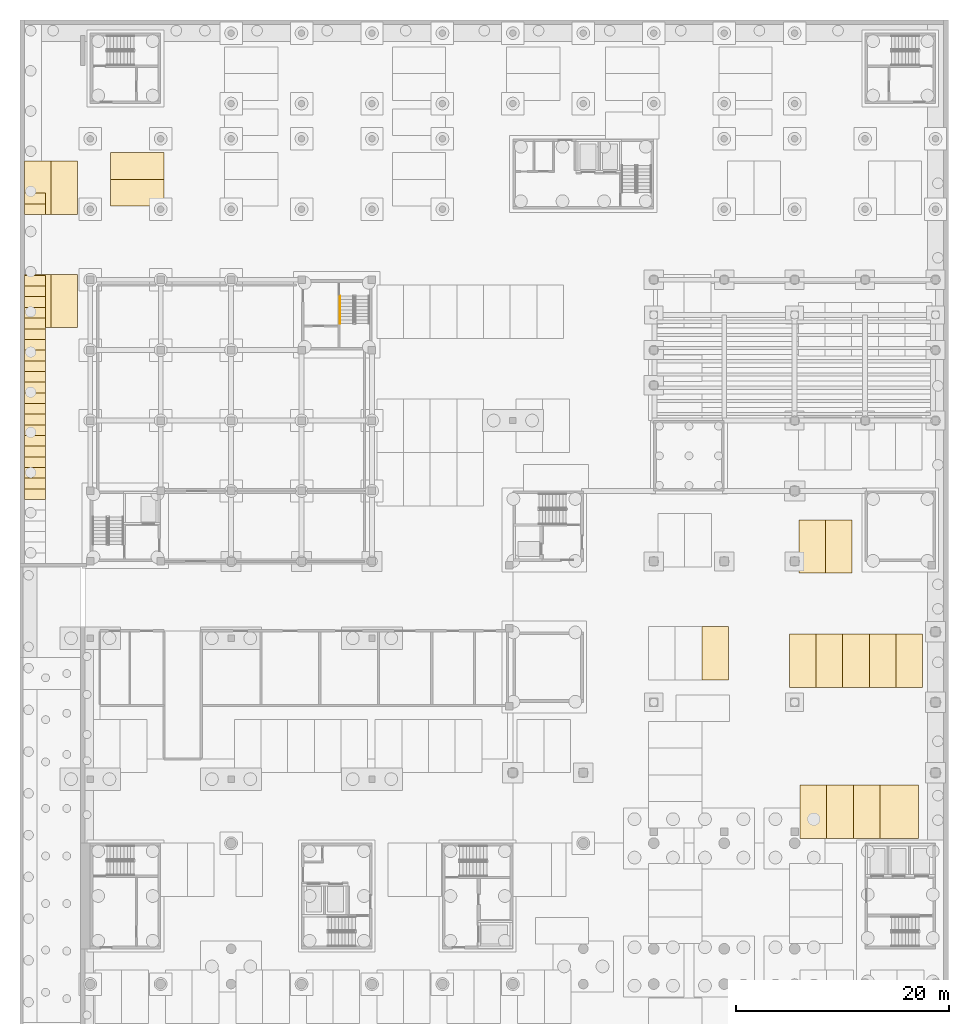
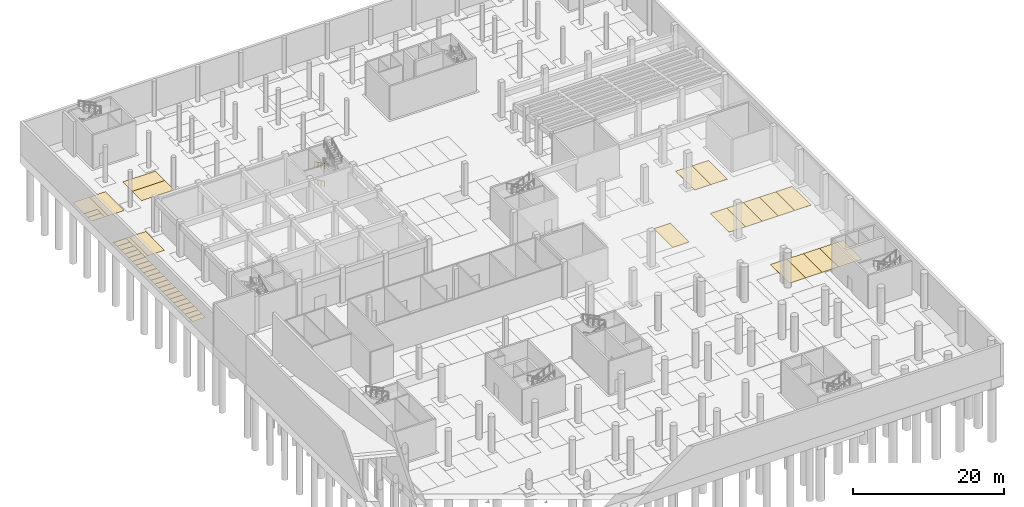
# One storey, part 31 of 38: 41 coverings, 2 railings.
"""IFC4 building model written with IfcOpenShell, lengths in metres."""

from ifc_helpers import new_model, si_unit, direction, frame, origin, origin_2d, place, context, subcontext, project, spatial, polyline, circle, outline, extrude, material, layer, layer_set, type_object, element, save


model = new_model("IFC4")

# Units and contexts
model_context = context("Model", 3, precision=1e-05, world=origin(), true_north=direction((0.0, 1.0)))
body_context = subcontext(model_context, "Body", "Model", "MODEL_VIEW")
ifc_project = project(units=[si_unit("LENGTHUNIT", "METRE"), si_unit("AREAUNIT", "SQUARE_METRE"), si_unit("VOLUMEUNIT", "CUBIC_METRE"), si_unit("PLANEANGLEUNIT", "RADIAN"), si_unit("MASSUNIT", "GRAM", prefix="KILO")], contexts=[model_context])

# Site, building, storey
site_placement = place(None, origin())
site = spatial("IfcSite", under=ifc_project, at=site_placement, CompositionType="ELEMENT")
building_placement = place(site_placement, origin())
building = spatial("IfcBuilding", under=site, at=building_placement, Name="Lantern Court Research Institute", CompositionType="ELEMENT")
storey_placement = place(building_placement, frame((0.0, 0.0, -5.699951171875)))
storey = spatial("IfcBuildingStorey", under=building, at=storey_placement, Name="B1", CompositionType="ELEMENT", Elevation=-5.699951171875)

# Coverings
ifc_material_1 = material(Name="Thermoplastic road marking paint")
ifc_layer_1 = layer(ifc_material_1, 0.0029296875)
ifc_layer_set_1 = layer_set([ifc_layer_1], Name="Thermoplastic road marking paint")
covering_type_1 = type_object("IfcCoveringType", Name="Accessible parking bay marking", PredefinedType="FLOORING", material=ifc_layer_set_1)
covering_1_placement = place(storey_placement, origin())
element("IfcCovering", 1, at=covering_1_placement, inside=storey, type_object=covering_type_1, Name="Accessible parking bay marking 03", PredefinedType="FLOORING", context=body_context, shape_type="SweptSolid", body=[
    extrude(outline(polyline([(74.0, 23.550048828125), (77.60009765625, 23.550048828125), (77.60009765625, 28.550048828125), (74.0, 28.550048828125), (74.0, 23.550048828125)])), origin(), (0.0, 0.0, 1.0), 0.0029296875),
])
ifc_material_2 = material(Name="Thermoplastic road marking paint")
ifc_layer_2 = layer(ifc_material_2, 0.0029296875)
ifc_layer_set_2 = layer_set([ifc_layer_2], Name="Thermoplastic road marking paint")
covering_type_2 = type_object("IfcCoveringType", Name="Motorcycle slot marking", PredefinedType="FLOORING", material=ifc_layer_set_2)
covering_2_placement = place(storey_placement, origin())
element("IfcCovering", 2, at=covering_2_placement, inside=storey, type_object=covering_type_2, Name="Motorcycle slot marking 07", PredefinedType="FLOORING", context=body_context, shape_type="SweptSolid", body=[
    extrude(outline(polyline([(-6.179931640625, 55.300048828125), (-4.179931640625, 55.300048828125), (-4.179931640625, 56.300048828125), (-6.179931640625, 56.300048828125), (-6.179931640625, 55.300048828125)])), origin(), (0.0, 0.0, 1.0), 0.0029296875),
])
covering_3_placement = place(storey_placement, origin())
element("IfcCovering", 3, at=covering_3_placement, inside=storey, type_object=covering_type_2, Name="Motorcycle slot marking 08", PredefinedType="FLOORING", context=body_context, shape_type="SweptSolid", body=[
    extrude(outline(polyline([(-6.179931640625, 56.300048828125), (-4.179931640625, 56.300048828125), (-4.179931640625, 57.300048828125), (-6.179931640625, 57.300048828125), (-6.179931640625, 56.300048828125)])), origin(), (0.0, 0.0, 1.0), 0.0029296875),
])
covering_4_placement = place(storey_placement, origin())
element("IfcCovering", 4, at=covering_4_placement, inside=storey, type_object=covering_type_2, Name="Motorcycle slot marking 09", PredefinedType="FLOORING", context=body_context, shape_type="SweptSolid", body=[
    extrude(outline(polyline([(-6.179931640625, 57.300048828125), (-4.179931640625, 57.300048828125), (-4.179931640625, 58.300048828125), (-6.179931640625, 58.300048828125), (-6.179931640625, 57.300048828125)])), origin(), (0.0, 0.0, 1.0), 0.0029296875),
])
covering_5_placement = place(storey_placement, origin())
element("IfcCovering", 5, at=covering_5_placement, inside=storey, type_object=covering_type_2, Name="Motorcycle slot marking 10", PredefinedType="FLOORING", context=body_context, shape_type="SweptSolid", body=[
    extrude(outline(polyline([(-6.179931640625, 58.300048828125), (-4.179931640625, 58.300048828125), (-4.179931640625, 59.300048828125), (-6.179931640625, 59.300048828125), (-6.179931640625, 58.300048828125)])), origin(), (0.0, 0.0, 1.0), 0.0029296875),
])
covering_6_placement = place(storey_placement, origin())
element("IfcCovering", 6, at=covering_6_placement, inside=storey, type_object=covering_type_2, Name="Motorcycle slot marking 11", PredefinedType="FLOORING", context=body_context, shape_type="SweptSolid", body=[
    extrude(outline(polyline([(-6.179931640625, 59.300048828125), (-4.179931640625, 59.300048828125), (-4.179931640625, 60.300048828125), (-6.179931640625, 60.300048828125), (-6.179931640625, 59.300048828125)])), origin(), (0.0, 0.0, 1.0), 0.0029296875),
])
covering_7_placement = place(storey_placement, origin())
element("IfcCovering", 7, at=covering_7_placement, inside=storey, type_object=covering_type_2, Name="Motorcycle slot marking 12", PredefinedType="FLOORING", context=body_context, shape_type="SweptSolid", body=[
    extrude(outline(polyline([(-6.179931640625, 60.300048828125), (-4.179931640625, 60.300048828125), (-4.179931640625, 61.300048828125), (-6.179931640625, 61.300048828125), (-6.179931640625, 60.300048828125)])), origin(), (0.0, 0.0, 1.0), 0.0029296875),
])
covering_8_placement = place(storey_placement, origin())
element("IfcCovering", 8, at=covering_8_placement, inside=storey, type_object=covering_type_2, Name="Motorcycle slot marking 13", PredefinedType="FLOORING", context=body_context, shape_type="SweptSolid", body=[
    extrude(outline(polyline([(-6.179931640625, 61.300048828125), (-4.179931640625, 61.300048828125), (-4.179931640625, 62.300048828125), (-6.179931640625, 62.300048828125), (-6.179931640625, 61.300048828125)])), origin(), (0.0, 0.0, 1.0), 0.0029296875),
])
covering_9_placement = place(storey_placement, origin())
element("IfcCovering", 9, at=covering_9_placement, inside=storey, type_object=covering_type_2, Name="Motorcycle slot marking 14", PredefinedType="FLOORING", context=body_context, shape_type="SweptSolid", body=[
    extrude(outline(polyline([(-6.179931640625, 62.300048828125), (-4.179931640625, 62.300048828125), (-4.179931640625, 63.300048828125), (-6.179931640625, 63.300048828125), (-6.179931640625, 62.300048828125)])), origin(), (0.0, 0.0, 1.0), 0.0029296875),
])
covering_10_placement = place(storey_placement, origin())
element("IfcCovering", 10, at=covering_10_placement, inside=storey, type_object=covering_type_2, Name="Motorcycle slot marking 15", PredefinedType="FLOORING", context=body_context, shape_type="SweptSolid", body=[
    extrude(outline(polyline([(-6.179931640625, 63.300048828125), (-4.179931640625, 63.300048828125), (-4.179931640625, 64.300048828125), (-6.179931640625, 64.300048828125), (-6.179931640625, 63.300048828125)])), origin(), (0.0, 0.0, 1.0), 0.0029296875),
])
covering_11_placement = place(storey_placement, origin())
element("IfcCovering", 11, at=covering_11_placement, inside=storey, type_object=covering_type_2, Name="Motorcycle slot marking 16", PredefinedType="FLOORING", context=body_context, shape_type="SweptSolid", body=[
    extrude(outline(polyline([(-6.179931640625, 64.300048828125), (-4.179931640625, 64.300048828125), (-4.179931640625, 65.300048828125), (-6.179931640625, 65.300048828125), (-6.179931640625, 64.300048828125)])), origin(), (0.0, 0.0, 1.0), 0.0029296875),
])
covering_12_placement = place(storey_placement, origin())
element("IfcCovering", 12, at=covering_12_placement, inside=storey, type_object=covering_type_2, Name="Motorcycle slot marking 17", PredefinedType="FLOORING", context=body_context, shape_type="SweptSolid", body=[
    extrude(outline(polyline([(-6.179931640625, 65.300048828125), (-4.179931640625, 65.300048828125), (-4.179931640625, 66.300048828125), (-6.179931640625, 66.300048828125), (-6.179931640625, 65.300048828125)])), origin(), (0.0, 0.0, 1.0), 0.0029296875),
])
covering_13_placement = place(storey_placement, origin())
element("IfcCovering", 13, at=covering_13_placement, inside=storey, type_object=covering_type_2, Name="Motorcycle slot marking 18", PredefinedType="FLOORING", context=body_context, shape_type="SweptSolid", body=[
    extrude(outline(polyline([(-6.179931640625, 66.300048828125), (-4.179931640625, 66.300048828125), (-4.179931640625, 67.300048828125), (-6.179931640625, 67.300048828125), (-6.179931640625, 66.300048828125)])), origin(), (0.0, 0.0, 1.0), 0.0029296875),
])
covering_14_placement = place(storey_placement, origin())
element("IfcCovering", 14, at=covering_14_placement, inside=storey, type_object=covering_type_2, Name="Motorcycle slot marking 19", PredefinedType="FLOORING", context=body_context, shape_type="SweptSolid", body=[
    extrude(outline(polyline([(-6.179931640625, 67.300048828125), (-4.179931640625, 67.300048828125), (-4.179931640625, 68.300048828125), (-6.179931640625, 68.300048828125), (-6.179931640625, 67.300048828125)])), origin(), (0.0, 0.0, 1.0), 0.0029296875),
])
covering_15_placement = place(storey_placement, origin())
element("IfcCovering", 15, at=covering_15_placement, inside=storey, type_object=covering_type_2, Name="Motorcycle slot marking 20", PredefinedType="FLOORING", context=body_context, shape_type="SweptSolid", body=[
    extrude(outline(polyline([(-6.179931640625, 68.300048828125), (-4.179931640625, 68.300048828125), (-4.179931640625, 69.300048828125), (-6.179931640625, 69.300048828125), (-6.179931640625, 68.300048828125)])), origin(), (0.0, 0.0, 1.0), 0.0029296875),
])
covering_16_placement = place(storey_placement, origin())
element("IfcCovering", 16, at=covering_16_placement, inside=storey, type_object=covering_type_2, Name="Motorcycle slot marking 21", PredefinedType="FLOORING", context=body_context, shape_type="SweptSolid", body=[
    extrude(outline(polyline([(-6.179931640625, 69.300048828125), (-4.179931640625, 69.300048828125), (-4.179931640625, 70.300048828125), (-6.179931640625, 70.300048828125), (-6.179931640625, 69.300048828125)])), origin(), (0.0, 0.0, 1.0), 0.0029296875),
])
covering_17_placement = place(storey_placement, origin())
element("IfcCovering", 17, at=covering_17_placement, inside=storey, type_object=covering_type_2, Name="Motorcycle slot marking 22", PredefinedType="FLOORING", context=body_context, shape_type="SweptSolid", body=[
    extrude(outline(polyline([(-6.179931640625, 70.300048828125), (-4.179931640625, 70.300048828125), (-4.179931640625, 71.300048828125), (-6.179931640625, 71.300048828125), (-6.179931640625, 70.300048828125)])), origin(), (0.0, 0.0, 1.0), 0.0029296875),
])
covering_18_placement = place(storey_placement, origin())
element("IfcCovering", 18, at=covering_18_placement, inside=storey, type_object=covering_type_2, Name="Motorcycle slot marking 23", PredefinedType="FLOORING", context=body_context, shape_type="SweptSolid", body=[
    extrude(outline(polyline([(-6.179931640625, 71.300048828125), (-4.179931640625, 71.300048828125), (-4.179931640625, 72.300048828125), (-6.179931640625, 72.300048828125), (-6.179931640625, 71.300048828125)])), origin(), (0.0, 0.0, 1.0), 0.0029296875),
])
covering_19_placement = place(storey_placement, origin())
element("IfcCovering", 19, at=covering_19_placement, inside=storey, type_object=covering_type_2, Name="Motorcycle slot marking 24", PredefinedType="FLOORING", context=body_context, shape_type="SweptSolid", body=[
    extrude(outline(polyline([(-6.179931640625, 72.300048828125), (-4.179931640625, 72.300048828125), (-4.179931640625, 73.300048828125), (-6.179931640625, 73.300048828125), (-6.179931640625, 72.300048828125)])), origin(), (0.0, 0.0, 1.0), 0.0029296875),
])
covering_20_placement = place(storey_placement, origin())
element("IfcCovering", 20, at=covering_20_placement, inside=storey, type_object=covering_type_2, Name="Motorcycle slot marking 25", PredefinedType="FLOORING", context=body_context, shape_type="SweptSolid", body=[
    extrude(outline(polyline([(-6.179931640625, 73.300048828125), (-4.179931640625, 73.300048828125), (-4.179931640625, 74.300048828125), (-6.179931640625, 74.300048828125), (-6.179931640625, 73.300048828125)])), origin(), (0.0, 0.0, 1.0), 0.0029296875),
])
covering_21_placement = place(storey_placement, origin())
element("IfcCovering", 21, at=covering_21_placement, inside=storey, type_object=covering_type_2, Name="Motorcycle slot marking 26", PredefinedType="FLOORING", context=body_context, shape_type="SweptSolid", body=[
    extrude(outline(polyline([(-6.179931640625, 74.300048828125), (-4.179931640625, 74.300048828125), (-4.179931640625, 75.300048828125), (-6.179931640625, 75.300048828125), (-6.179931640625, 74.300048828125)])), origin(), (0.0, 0.0, 1.0), 0.0029296875),
])
covering_22_placement = place(storey_placement, origin())
element("IfcCovering", 22, at=covering_22_placement, inside=storey, type_object=covering_type_2, Name="Motorcycle slot marking 27", PredefinedType="FLOORING", context=body_context, shape_type="SweptSolid", body=[
    extrude(outline(polyline([(-6.179931640625, 75.300048828125), (-4.179931640625, 75.300048828125), (-4.179931640625, 76.300048828125), (-6.179931640625, 76.300048828125), (-6.179931640625, 75.300048828125)])), origin(), (0.0, 0.0, 1.0), 0.0029296875),
])
covering_23_placement = place(storey_placement, origin())
element("IfcCovering", 23, at=covering_23_placement, inside=storey, type_object=covering_type_2, Name="Motorcycle slot marking 28", PredefinedType="FLOORING", context=body_context, shape_type="SweptSolid", body=[
    extrude(outline(polyline([(-6.179931640625, 82.0), (-4.179931640625, 82.0), (-4.179931640625, 83.0), (-6.179931640625, 83.0), (-6.179931640625, 82.0)])), origin(), (0.0, 0.0, 1.0), 0.0029296875),
])
covering_24_placement = place(storey_placement, origin())
element("IfcCovering", 24, at=covering_24_placement, inside=storey, type_object=covering_type_2, Name="Motorcycle slot marking 29", PredefinedType="FLOORING", context=body_context, shape_type="SweptSolid", body=[
    extrude(outline(polyline([(-6.179931640625, 83.0), (-4.179931640625, 83.0), (-4.179931640625, 84.0), (-6.179931640625, 84.0), (-6.179931640625, 83.0)])), origin(), (0.0, 0.0, 1.0), 0.0029296875),
])
ifc_material_3 = material(Name="Thermoplastic road marking paint")
ifc_layer_3 = layer(ifc_material_3, 0.0029296875)
ifc_layer_set_3 = layer_set([ifc_layer_3], Name="Thermoplastic road marking paint")
covering_type_3 = type_object("IfcCoveringType", Name="Parking bay marking", PredefinedType="FLOORING", material=ifc_layer_set_3)
covering_25_placement = place(storey_placement, origin())
element("IfcCovering", 25, at=covering_25_placement, inside=storey, type_object=covering_type_3, Name="Parking bay marking 047", PredefinedType="FLOORING", context=body_context, shape_type="SweptSolid", body=[
    extrude(outline(polyline([(66.5, 23.550048828125), (69.0, 23.550048828125), (69.0, 28.550048828125), (66.5, 28.550048828125), (66.5, 23.550048828125)])), origin(), (0.0, 0.0, 1.0), 0.0029296875),
])
covering_26_placement = place(storey_placement, origin())
element("IfcCovering", 26, at=covering_26_placement, inside=storey, type_object=covering_type_3, Name="Parking bay marking 048", PredefinedType="FLOORING", context=body_context, shape_type="SweptSolid", body=[
    extrude(outline(polyline([(69.0, 23.550048828125), (71.5, 23.550048828125), (71.5, 28.550048828125), (69.0, 28.550048828125), (69.0, 23.550048828125)])), origin(), (0.0, 0.0, 1.0), 0.0029296875),
])
covering_27_placement = place(storey_placement, origin())
element("IfcCovering", 27, at=covering_27_placement, inside=storey, type_object=covering_type_3, Name="Parking bay marking 049", PredefinedType="FLOORING", context=body_context, shape_type="SweptSolid", body=[
    extrude(outline(polyline([(71.5, 23.550048828125), (74.0, 23.550048828125), (74.0, 28.550048828125), (71.5, 28.550048828125), (71.5, 23.550048828125)])), origin(), (0.0, 0.0, 1.0), 0.0029296875),
])
covering_28_placement = place(storey_placement, origin())
element("IfcCovering", 28, at=covering_28_placement, inside=storey, type_object=covering_type_3, Name="Parking bay marking 068", PredefinedType="FLOORING", context=body_context, shape_type="SweptSolid", body=[
    extrude(outline(polyline([(65.5, 37.699951171875), (68.0, 37.699951171875), (68.0, 42.699951171875), (65.5, 42.699951171875), (65.5, 37.699951171875)])), origin(), (0.0, 0.0, 1.0), 0.0029296875),
])
covering_29_placement = place(storey_placement, origin())
element("IfcCovering", 29, at=covering_29_placement, inside=storey, type_object=covering_type_3, Name="Parking bay marking 069", PredefinedType="FLOORING", context=body_context, shape_type="SweptSolid", body=[
    extrude(outline(polyline([(68.0, 37.699951171875), (70.5, 37.699951171875), (70.5, 42.699951171875), (68.0, 42.699951171875), (68.0, 37.699951171875)])), origin(), (0.0, 0.0, 1.0), 0.0029296875),
])
covering_30_placement = place(storey_placement, origin())
element("IfcCovering", 30, at=covering_30_placement, inside=storey, type_object=covering_type_3, Name="Parking bay marking 070", PredefinedType="FLOORING", context=body_context, shape_type="SweptSolid", body=[
    extrude(outline(polyline([(70.5, 37.699951171875), (73.0, 37.699951171875), (73.0, 42.699951171875), (70.5, 42.699951171875), (70.5, 37.699951171875)])), origin(), (0.0, 0.0, 1.0), 0.0029296875),
])
covering_31_placement = place(storey_placement, origin())
element("IfcCovering", 31, at=covering_31_placement, inside=storey, type_object=covering_type_3, Name="Parking bay marking 071", PredefinedType="FLOORING", context=body_context, shape_type="SweptSolid", body=[
    extrude(outline(polyline([(73.0, 37.699951171875), (75.5, 37.699951171875), (75.5, 42.699951171875), (73.0, 42.699951171875), (73.0, 37.699951171875)])), origin(), (0.0, 0.0, 1.0), 0.0029296875),
])
covering_32_placement = place(storey_placement, origin())
element("IfcCovering", 32, at=covering_32_placement, inside=storey, type_object=covering_type_3, Name="Parking bay marking 072", PredefinedType="FLOORING", context=body_context, shape_type="SweptSolid", body=[
    extrude(outline(polyline([(75.5, 37.699951171875), (78.0, 37.699951171875), (78.0, 42.699951171875), (75.5, 42.699951171875), (75.5, 37.699951171875)])), origin(), (0.0, 0.0, 1.0), 0.0029296875),
])
covering_33_placement = place(storey_placement, origin())
element("IfcCovering", 33, at=covering_33_placement, inside=storey, type_object=covering_type_3, Name="Parking bay marking 075", PredefinedType="FLOORING", context=body_context, shape_type="SweptSolid", body=[
    extrude(outline(polyline([(57.300048828125, 38.39990234375), (59.800048828125, 38.39990234375), (59.800048828125, 43.39990234375), (57.300048828125, 43.39990234375), (57.300048828125, 38.39990234375)])), origin(), (0.0, 0.0, 1.0), 0.0029296875),
])
covering_34_placement = place(storey_placement, origin())
element("IfcCovering", 34, at=covering_34_placement, inside=storey, type_object=covering_type_3, Name="Parking bay marking 076", PredefinedType="FLOORING", context=body_context, shape_type="SweptSolid", body=[
    extrude(outline(polyline([(66.39990234375, 48.39990234375), (68.89990234375, 48.39990234375), (68.89990234375, 53.39990234375), (66.39990234375, 53.39990234375), (66.39990234375, 48.39990234375)])), origin(), (0.0, 0.0, 1.0), 0.0029296875),
])
covering_35_placement = place(storey_placement, origin())
element("IfcCovering", 35, at=covering_35_placement, inside=storey, type_object=covering_type_3, Name="Parking bay marking 077", PredefinedType="FLOORING", context=body_context, shape_type="SweptSolid", body=[
    extrude(outline(polyline([(68.89990234375, 48.39990234375), (71.39990234375, 48.39990234375), (71.39990234375, 53.39990234375), (68.89990234375, 53.39990234375), (68.89990234375, 48.39990234375)])), origin(), (0.0, 0.0, 1.0), 0.0029296875),
])
covering_36_placement = place(storey_placement, origin())
element("IfcCovering", 36, at=covering_36_placement, inside=storey, type_object=covering_type_3, Name="Parking bay marking 107", PredefinedType="FLOORING", context=body_context, shape_type="SweptSolid", body=[
    extrude(outline(polyline([(-6.179931640625, 71.39990234375), (-3.679931640625, 71.39990234375), (-3.679931640625, 76.39990234375), (-6.179931640625, 76.39990234375), (-6.179931640625, 71.39990234375)])), origin(), (0.0, 0.0, 1.0), 0.0029296875),
])
covering_37_placement = place(storey_placement, origin())
element("IfcCovering", 37, at=covering_37_placement, inside=storey, type_object=covering_type_3, Name="Parking bay marking 108", PredefinedType="FLOORING", context=body_context, shape_type="SweptSolid", body=[
    extrude(outline(polyline([(-3.679931640625, 71.39990234375), (-1.179931640625, 71.39990234375), (-1.179931640625, 76.39990234375), (-3.679931640625, 76.39990234375), (-3.679931640625, 71.39990234375)])), origin(), (0.0, 0.0, 1.0), 0.0029296875),
])
covering_38_placement = place(storey_placement, origin())
element("IfcCovering", 38, at=covering_38_placement, inside=storey, type_object=covering_type_3, Name="Parking bay marking 111", PredefinedType="FLOORING", context=body_context, shape_type="SweptSolid", body=[
    extrude(outline(polyline([(-6.179931640625, 82.0), (-3.679931640625, 82.0), (-3.679931640625, 87.0), (-6.179931640625, 87.0), (-6.179931640625, 82.0)])), origin(), (0.0, 0.0, 1.0), 0.0029296875),
])
covering_39_placement = place(storey_placement, origin())
element("IfcCovering", 39, at=covering_39_placement, inside=storey, type_object=covering_type_3, Name="Parking bay marking 112", PredefinedType="FLOORING", context=body_context, shape_type="SweptSolid", body=[
    extrude(outline(polyline([(-3.679931640625, 82.0), (-1.179931640625, 82.0), (-1.179931640625, 87.0), (-3.679931640625, 87.0), (-3.679931640625, 82.0)])), origin(), (0.0, 0.0, 1.0), 0.0029296875),
])
covering_40_placement = place(storey_placement, origin())
element("IfcCovering", 40, at=covering_40_placement, inside=storey, type_object=covering_type_3, Name="Parking bay marking 117", PredefinedType="FLOORING", context=body_context, shape_type="SweptSolid", body=[
    extrude(outline(polyline([(1.89990234375, 82.800048828125), (6.89990234375, 82.800048828125), (6.89990234375, 85.300048828125), (1.89990234375, 85.300048828125), (1.89990234375, 82.800048828125)])), origin(), (0.0, 0.0, 1.0), 0.0029296875),
])
covering_41_placement = place(storey_placement, origin())
element("IfcCovering", 41, at=covering_41_placement, inside=storey, type_object=covering_type_3, Name="Parking bay marking 120", PredefinedType="FLOORING", context=body_context, shape_type="SweptSolid", body=[
    extrude(outline(polyline([(1.89990234375, 85.300048828125), (6.89990234375, 85.300048828125), (6.89990234375, 87.800048828125), (1.89990234375, 87.800048828125), (1.89990234375, 85.300048828125)])), origin(), (0.0, 0.0, 1.0), 0.0029296875),
])

# Railings
ifc_material_4 = material(Name="Stainless steel 316", Category="steel")
railing_type = type_object("IfcRailingType", Name="Stair handrail 900 steel", PredefinedType="HANDRAIL", material=ifc_material_4)
railing_1_placement = place(storey_placement, frame((23.425048828125, 74.35009765625, 0.158203125)))
element("IfcRailing", 42, at=railing_1_placement, inside=storey, type_object=railing_type, Name="B1 ST-C2 stair handrail 1", PredefinedType="HANDRAIL", context=body_context, shape_type="SweptSolid", body=[
    extrude(circle(Radius=0.02392578125, at=origin_2d()), frame((0.0, 0.0, 0.8759765625), z_axis=(0.0, -0.896265777717, 0.443517367974), x_axis=(1.0, 0.0, 0.0)), (0.0, 0.0, 1.0), 2.8564453125),
    extrude(circle(Radius=0.02099609375, at=origin_2d()), origin(), (0.0, 0.0, 1.0), 0.851806640625),
    extrude(circle(Radius=0.02099609375, at=origin_2d()), frame((0.0, -0.853271484375, 0.42236328125)), (0.0, 0.0, 1.0), 0.851806640625),
    extrude(circle(Radius=0.02099609375, at=origin_2d()), frame((0.0, -1.706787109375, 0.844482421875)), (0.0, 0.0, 1.0), 0.851806640625),
    extrude(circle(Radius=0.02099609375, at=origin_2d()), frame((0.0, -2.56005859375, 1.266845703125)), (0.0, 0.0, 1.0), 0.851806640625),
])
railing_2_placement = place(storey_placement, frame((23.425048828125, 74.35009765625, 3.00830078125)))
element("IfcRailing", 43, at=railing_2_placement, inside=storey, type_object=railing_type, Name="B1 ST-C2 stair handrail 3", PredefinedType="HANDRAIL", context=body_context, shape_type="SweptSolid", body=[
    extrude(circle(Radius=0.02392578125, at=origin_2d()), frame((0.0, 0.0, 0.8759765625), z_axis=(0.0, -0.896299752543, 0.443448704577), x_axis=(1.0, 0.0, 0.0)), (0.0, 0.0, 1.0), 2.856201171875),
    extrude(circle(Radius=0.02099609375, at=origin_2d()), origin(), (0.0, 0.0, 1.0), 0.851806640625),
    extrude(circle(Radius=0.02099609375, at=origin_2d()), frame((0.0, -0.853271484375, 0.422119140625)), (0.0, 0.0, 1.0), 0.851806640625),
    extrude(circle(Radius=0.02099609375, at=origin_2d()), frame((0.0, -1.706787109375, 0.844482421875)), (0.0, 0.0, 1.0), 0.851806640625),
    extrude(circle(Radius=0.02099609375, at=origin_2d()), frame((0.0, -2.56005859375, 1.2666015625)), (0.0, 0.0, 1.0), 0.851806640625),
])

save(model, "model.ifc")
